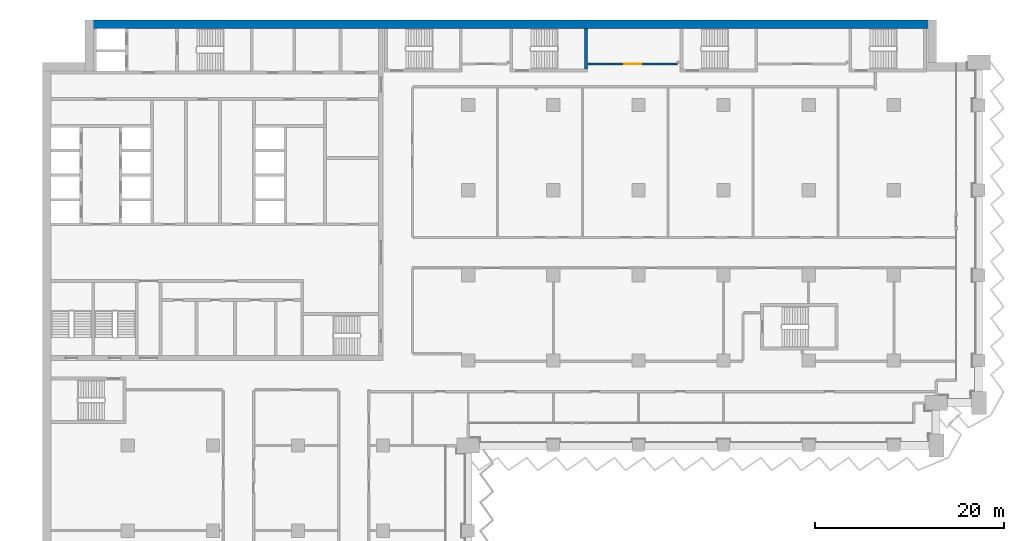
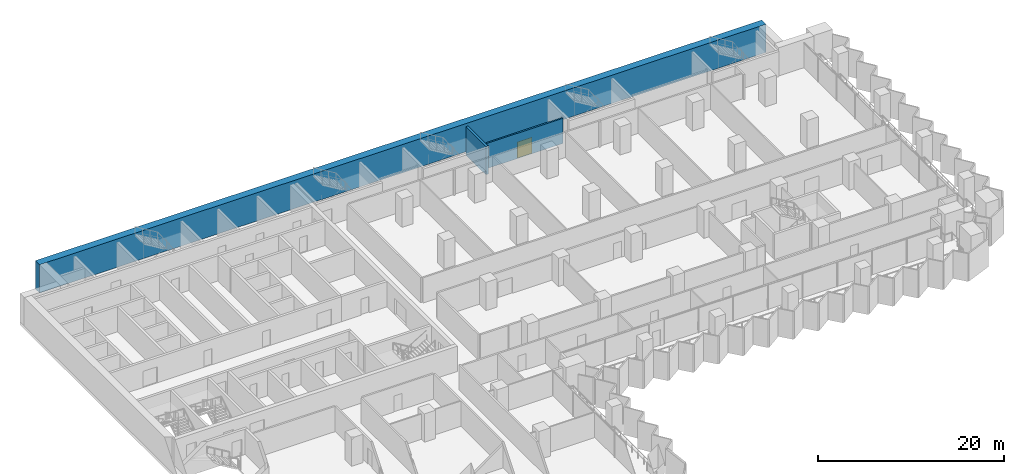
# One storey, part 17 of 29: 3 walls, 1 door, 1 opening.
"""IFC4 building model written with IfcOpenShell, lengths in metres."""

from ifc_helpers import new_model, si_unit, direction, frame, frame_2d, origin, place, context, subcontext, project, spatial, rectangle, extrude, material, layer, layer_set, type_object, element, fill, save


model = new_model("IFC4")

# Units and contexts
model_context = context("Model", 3, precision=1e-05, world=origin(), true_north=direction((0.0, 1.0)))
body_context = subcontext(model_context, "Body", "Model", "MODEL_VIEW")
ifc_project = project(units=[si_unit("LENGTHUNIT", "METRE"), si_unit("AREAUNIT", "SQUARE_METRE"), si_unit("VOLUMEUNIT", "CUBIC_METRE"), si_unit("PLANEANGLEUNIT", "RADIAN"), si_unit("MASSUNIT", "GRAM", prefix="KILO")], contexts=[model_context])

# Site, building, storey
site_placement = place(None, origin())
site = spatial("IfcSite", under=ifc_project, at=site_placement, CompositionType="ELEMENT")
building_placement = place(site_placement, origin())
building = spatial("IfcBuilding", under=site, at=building_placement, Name="Hunhe Ridgeline Campus", CompositionType="ELEMENT")
storey_placement = place(building_placement, frame((0.0, 0.0, 54.300048828125)))
storey = spatial("IfcBuildingStorey", under=building, at=storey_placement, Name="L12", CompositionType="ELEMENT", Elevation=54.300048828125)

# Wall, opening, door
ifc_material_1 = material(Name="Gypsum board partition")
ifc_layer_1 = layer(ifc_material_1, 0.199951171875)
ifc_layer_set_1 = layer_set([ifc_layer_1], Name="Corridor partition 200 gypsum board on steel studs")
wall_type_1 = type_object("IfcWallType", Name="Corridor partition 200 gypsum board on steel studs", PredefinedType="PARTITIONING", material=ifc_layer_set_1)
wall_1_placement = place(storey_placement, frame((57.7041015625, 94.35009765625, 0.0), z_axis=(0.0, 0.0, 1.0), x_axis=(1.0, 0.0, 0.0)))
wall_1 = element("IfcWall", 1, at=wall_1_placement, inside=storey, type_object=wall_type_1, Name="F-L12-wall-053", PredefinedType="PARTITIONING", context=body_context, shape_type="SweptSolid", body=[
    extrude(rectangle(XDim=9.4208984375, YDim=0.199951171875, at=frame_2d((4.71044921875, 0.0))), origin(), (0.0, 0.0, 1.0), 3.300048828125),
])
opening_placement = place(wall_1_placement, frame((3.810546875, 0.0, 0.0)))
opening = element("IfcOpeningElement", 2, at=opening_placement, cuts=wall_1, Name="Opening RD2-048", PredefinedType="OPENING", context=body_context, shape_type="SweptSolid", body=[
    extrude(rectangle(XDim=1.800048828125, YDim=2.10009765625, at=frame_2d((0.89990234375, 1.050048828125))), frame((0.0, 0.10009765625, 0.0), z_axis=(0.0, -1.0, 0.0), x_axis=(1.0, 0.0, 0.0)), (0.0, 0.0, 1.0), 0.199951171875),
])
ifc_material_2 = material(Name="Timber door leaf", Category="wood")
door_type = type_object("IfcDoorType", Name="Double fire door 1800x2100 timber FD60", OperationType="DOUBLE_DOOR_SINGLE_SWING", PredefinedType="DOOR", material=ifc_material_2)
door_placement = place(opening_placement, origin())
door = element("IfcDoor", 3, at=door_placement, inside=storey, type_object=door_type, Name="F-L12-door-048", OperationType="DOUBLE_DOOR_SINGLE_SWING", OverallHeight=2.10009765625, OverallWidth=1.800048828125, PredefinedType="DOOR", context=body_context, shape_type="SweptSolid", body=[
    extrude(rectangle(XDim=1.800048828125, YDim=2.10009765625, at=frame_2d((0.89990234375, 1.050048828125))), frame((0.0, 0.02490234375, 0.0), z_axis=(0.0, -1.0, 0.0), x_axis=(1.0, 0.0, 0.0)), (0.0, 0.0, 1.0), 0.050048828125),
])
fill(opening, door)

# Walls
ifc_material_3 = material(Name="Concrete C80", Category="concrete")
ifc_layer_2 = layer(ifc_material_3, 0.89990234375)
ifc_layer_set_2 = layer_set([ifc_layer_2], Name="Spine wall 900 Concrete C80")
wall_type_2 = type_object("IfcWallType", Name="Spine wall 900 Concrete C80", PredefinedType="SHEAR", material=ifc_layer_set_2)
wall_2_placement = place(storey_placement, frame((94.5, 98.550048828125, 0.0), z_axis=(0.0, 0.0, 1.0), x_axis=(-1.0, 0.0, 0.0)))
element("IfcWall", 4, at=wall_2_placement, inside=storey, type_object=wall_type_2, Name="Spine wall SW1-4 L12", PredefinedType="SHEAR", context=body_context, shape_type="SweptSolid", body=[
    extrude(rectangle(XDim=90.0, YDim=0.89990234375, at=frame_2d((45.0, 0.0))), origin(), (0.0, 0.0, 1.0), 3.699951171875),
])
ifc_layer_3 = layer(ifc_material_3, 0.300048828125)
ifc_layer_set_3 = layer_set([ifc_layer_3], Name="Stair wall 300 reinforced concrete C80")
wall_type_3 = type_object("IfcWallType", Name="Stair wall 300 reinforced concrete C80", PredefinedType="SOLIDWALL", material=ifc_layer_set_3)
wall_3_placement = place(storey_placement, frame((57.449951171875, 93.800048828125, -0.400146484375), z_axis=(0.0, 0.0, 1.0), x_axis=(0.0, 1.0, 0.0)))
element("IfcWall", 5, at=wall_3_placement, inside=storey, type_object=wall_type_3, Name="L12 core wall 68", PredefinedType="SOLIDWALL", context=body_context, shape_type="SweptSolid", body=[
    extrude(rectangle(XDim=4.300048828125, YDim=0.300048828125, at=frame_2d((2.14990234375, 0.0))), origin(), (0.0, 0.0, 1.0), 3.7001953125),
])

save(model, "model.ifc")
